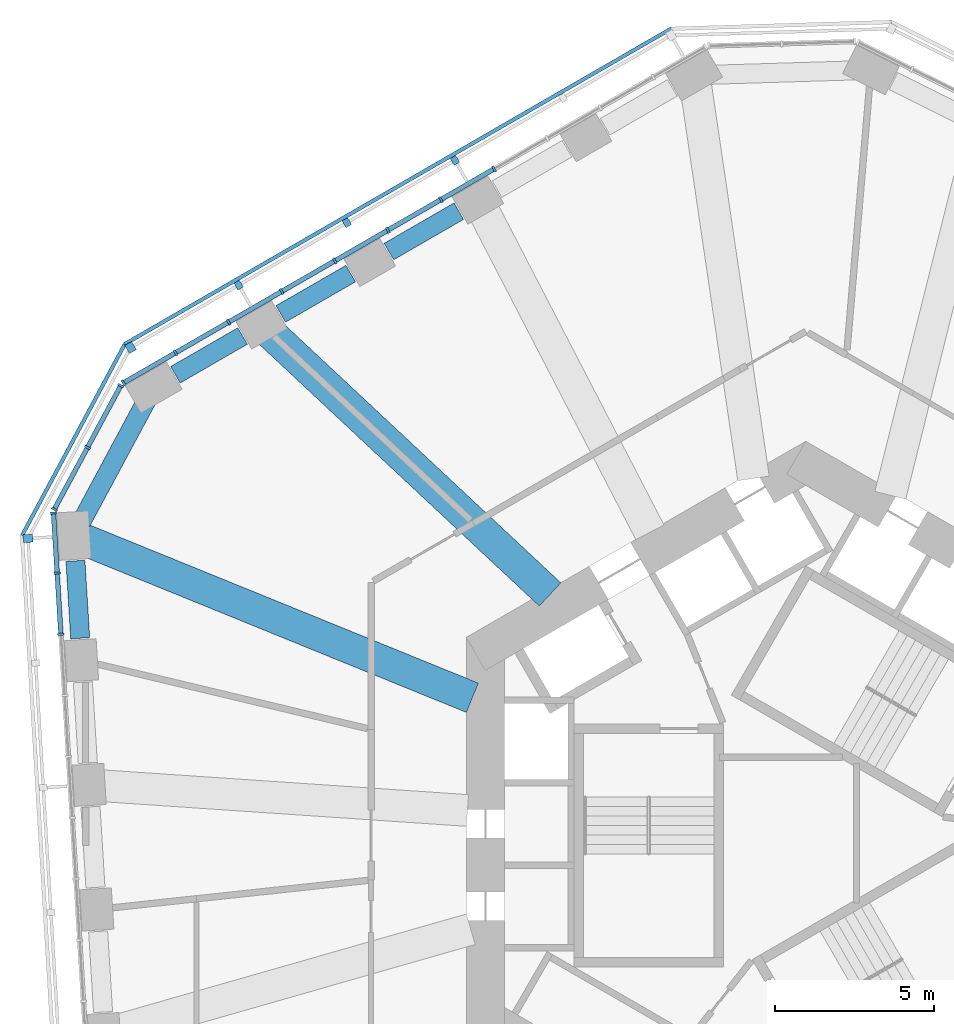
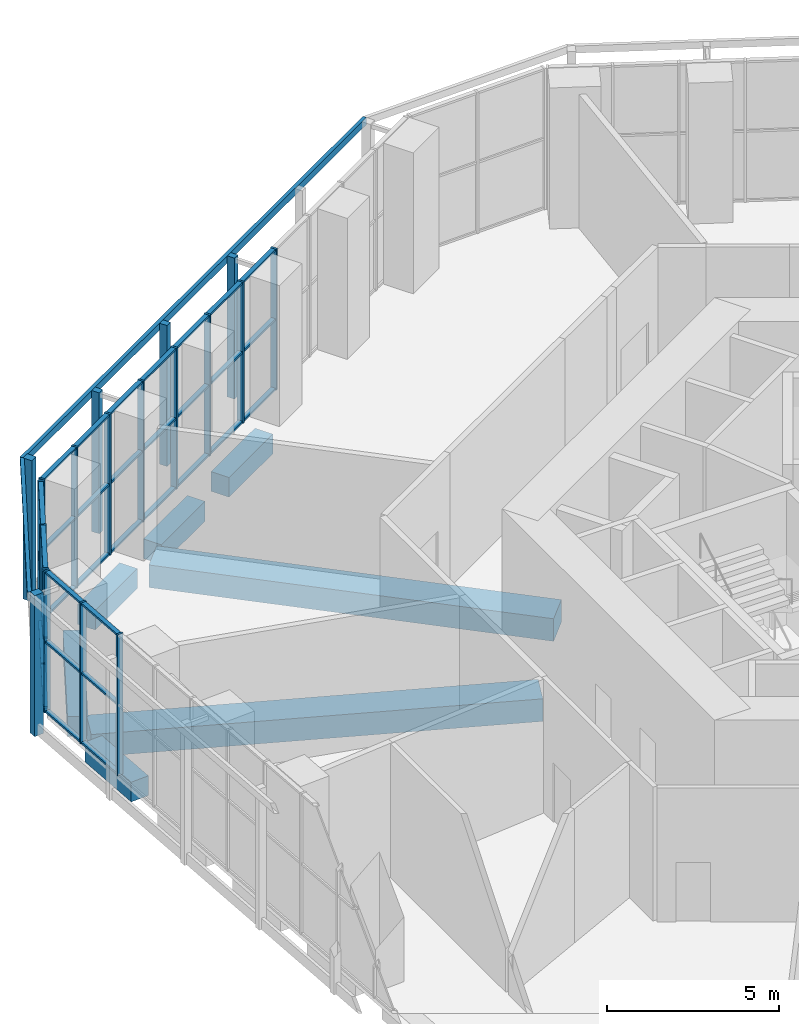
# One storey, part 7 of 19: 54 members, 7 beams, 6 elements without a shape of their own.
"""IFC4 building model written with IfcOpenShell, lengths in metres."""

from ifc_helpers import new_model, si_unit, direction, frame, origin, origin_2d, place, context, subcontext, project, spatial, rectangle, extrude, material, material_profile, profile_set, type_object, element, aggregate, save


model = new_model("IFC4")

# Units and contexts
model_context = context("Model", 3, precision=1e-05, world=origin(), true_north=direction((0.0, 1.0)))
body_context = subcontext(model_context, "Body", "Model", "MODEL_VIEW")
ifc_project = project(units=[si_unit("LENGTHUNIT", "METRE"), si_unit("AREAUNIT", "SQUARE_METRE"), si_unit("VOLUMEUNIT", "CUBIC_METRE"), si_unit("PLANEANGLEUNIT", "RADIAN"), si_unit("MASSUNIT", "GRAM", prefix="KILO")], contexts=[model_context])

# Site, building, storey
site_placement = place(None, origin())
site = spatial("IfcSite", under=ifc_project, at=site_placement, CompositionType="ELEMENT")
building_placement = place(site_placement, origin())
building = spatial("IfcBuilding", under=site, at=building_placement, Name="Vanh Sen Convention Tower", CompositionType="ELEMENT")
storey_placement = place(building_placement, frame((0.0, 0.0, 39.0)))
storey = spatial("IfcBuildingStorey", under=building, at=storey_placement, Name="L06", CompositionType="ELEMENT", Elevation=39.0)

# Curtain wall, members
ifc_material_1 = material(Name="Aluminium structural glazing system", Category="aluminium")
curtain_wall_type_1 = type_object("IfcCurtainWallType", Name="Hotel lobby structural glazing", PredefinedType="NOTDEFINED", material=ifc_material_1)
curtain_wall_1_placement = place(storey_placement, origin())
curtain_wall_1 = element("IfcCurtainWall", 1, at=curtain_wall_1_placement, inside=storey, type_object=curtain_wall_type_1, Name="Hotel lobby glazing NW L06", PredefinedType="NOTDEFINED")
ifc_material_2 = material(Name="Aluminium mullion", Category="aluminium")
ifc_material_profile_1 = material_profile(ifc_material_2, rectangle(XDim=0.199951171875, YDim=0.070068359375, at=origin_2d()), Name="Lobby glazing mullion 70 x 200")
ifc_profile_set_1 = profile_set([ifc_material_profile_1], Name="Aluminium mullion")
member_type_1 = type_object("IfcMemberType", Name="Lobby glazing mullion 70 x 200", PredefinedType="MULLION", material=ifc_profile_set_1)
member_1_placement = place(storey_placement, frame((-9.826904296875, 20.942138671875, 0.0), z_axis=(0.0, 0.0, 1.0), x_axis=(0.500000997302, -0.866024827991, 0.0)))
member_1 = element("IfcMember", 2, at=member_1_placement, type_object=member_type_1, Name="CW2 mullion 5", PredefinedType="MULLION", context=body_context, shape_type="SweptSolid", body=[
    extrude(rectangle(XDim=0.199951171875, YDim=0.070068359375, at=origin_2d()), origin(), (0.0, 0.0, 1.0), 5.0),
])
member_2_placement = place(storey_placement, frame((-11.49951171875, 19.9765625, 0.0), z_axis=(0.0, 0.0, 1.0), x_axis=(0.500000997302, -0.866024827991, 0.0)))
member_2 = element("IfcMember", 3, at=member_2_placement, type_object=member_type_1, Name="CW2 mullion 6", PredefinedType="MULLION", context=body_context, shape_type="SweptSolid", body=[
    extrude(rectangle(XDim=0.199951171875, YDim=0.070068359375, at=origin_2d()), origin(), (0.0, 0.0, 1.0), 5.0),
])
member_3_placement = place(storey_placement, frame((-13.17236328125, 19.0107421875, 0.0), z_axis=(0.0, 0.0, 1.0), x_axis=(0.500000997302, -0.866024827991, 0.0)))
member_3 = element("IfcMember", 4, at=member_3_placement, type_object=member_type_1, Name="CW2 mullion 7", PredefinedType="MULLION", context=body_context, shape_type="SweptSolid", body=[
    extrude(rectangle(XDim=0.199951171875, YDim=0.070068359375, at=origin_2d()), origin(), (0.0, 0.0, 1.0), 5.0),
])
member_4_placement = place(storey_placement, frame((-14.844970703125, 18.045166015625, 0.0), z_axis=(0.0, 0.0, 1.0), x_axis=(0.500000997302, -0.866024827991, 0.0)))
member_4 = element("IfcMember", 5, at=member_4_placement, type_object=member_type_1, Name="CW2 mullion 8", PredefinedType="MULLION", context=body_context, shape_type="SweptSolid", body=[
    extrude(rectangle(XDim=0.199951171875, YDim=0.070068359375, at=origin_2d()), origin(), (0.0, 0.0, 1.0), 5.0),
])
member_5_placement = place(storey_placement, frame((-16.517578125, 17.079345703125, 0.0), z_axis=(0.0, 0.0, 1.0), x_axis=(0.500000997302, -0.866024827991, 0.0)))
member_5 = element("IfcMember", 6, at=member_5_placement, type_object=member_type_1, Name="CW2 mullion 9", PredefinedType="MULLION", context=body_context, shape_type="SweptSolid", body=[
    extrude(rectangle(XDim=0.199951171875, YDim=0.070068359375, at=origin_2d()), origin(), (0.0, 0.0, 1.0), 5.0),
])
member_6_placement = place(storey_placement, frame((-18.1904296875, 16.113525390625, 0.0), z_axis=(0.0, 0.0, 1.0), x_axis=(0.500000997302, -0.866024827991, 0.0)))
member_6 = element("IfcMember", 7, at=member_6_placement, type_object=member_type_1, Name="CW2 mullion 10", PredefinedType="MULLION", context=body_context, shape_type="SweptSolid", body=[
    extrude(rectangle(XDim=0.199951171875, YDim=0.070068359375, at=origin_2d()), origin(), (0.0, 0.0, 1.0), 5.0),
])
member_7_placement = place(storey_placement, frame((-19.863037109375, 15.14794921875, 0.0), z_axis=(0.0, 0.0, 1.0), x_axis=(0.500000997302, -0.866024827991, 0.0)))
member_7 = element("IfcMember", 8, at=member_7_placement, type_object=member_type_1, Name="CW2 mullion 11", PredefinedType="MULLION", context=body_context, shape_type="SweptSolid", body=[
    extrude(rectangle(XDim=0.199951171875, YDim=0.070068359375, at=origin_2d()), origin(), (0.0, 0.0, 1.0), 5.0),
])
member_8_placement = place(storey_placement, frame((-21.50537109375, 14.19970703125, 0.0), z_axis=(0.0, 0.0, 1.0), x_axis=(0.500000997302, -0.866024827991, 0.0)))
member_8 = element("IfcMember", 9, at=member_8_placement, type_object=member_type_1, Name="CW2 mullion 12", PredefinedType="MULLION", context=body_context, shape_type="SweptSolid", body=[
    extrude(rectangle(XDim=0.199951171875, YDim=0.070068359375, at=origin_2d()), origin(), (0.0, 0.0, 1.0), 5.0),
])

curtain_wall_2_placement = place(storey_placement, origin())
curtain_wall_2 = element("IfcCurtainWall", 10, at=curtain_wall_2_placement, inside=storey, type_object=curtain_wall_type_1, Name="Hotel lobby glazing CH3 L06", PredefinedType="NOTDEFINED")
member_9_placement = place(storey_placement, frame((-21.590576171875, 14.112060546875, 0.0), z_axis=(0.0, 0.0, 1.0), x_axis=(0.880884476053, -0.473331321433, 0.0)))
member_9 = element("IfcMember", 11, at=member_9_placement, type_object=member_type_1, Name="CW2 mullion 1", PredefinedType="MULLION", context=body_context, shape_type="SweptSolid", body=[
    extrude(rectangle(XDim=0.199951171875, YDim=0.070068359375, at=origin_2d()), origin(), (0.0, 0.0, 1.0), 5.0),
])
member_10_placement = place(storey_placement, frame((-22.637451171875, 12.16357421875, 0.0), z_axis=(0.0, 0.0, 1.0), x_axis=(0.880884476053, -0.473331321433, 0.0)))
member_10 = element("IfcMember", 12, at=member_10_placement, type_object=member_type_1, Name="CW2 mullion 2", PredefinedType="MULLION", context=body_context, shape_type="SweptSolid", body=[
    extrude(rectangle(XDim=0.199951171875, YDim=0.070068359375, at=origin_2d()), origin(), (0.0, 0.0, 1.0), 5.0),
])
member_11_placement = place(storey_placement, frame((-23.684326171875, 10.215087890625, 0.0), z_axis=(0.0, 0.0, 1.0), x_axis=(0.880884476053, -0.473331321433, 0.0)))
member_11 = element("IfcMember", 13, at=member_11_placement, type_object=member_type_1, Name="CW2 mullion 3", PredefinedType="MULLION", context=body_context, shape_type="SweptSolid", body=[
    extrude(rectangle(XDim=0.199951171875, YDim=0.070068359375, at=origin_2d()), origin(), (0.0, 0.0, 1.0), 5.0),
])

curtain_wall_3_placement = place(storey_placement, origin())
curtain_wall_3 = element("IfcCurtainWall", 14, at=curtain_wall_3_placement, inside=storey, type_object=curtain_wall_type_1, Name="Hotel lobby glazing W L06", PredefinedType="NOTDEFINED")
member_12_placement = place(storey_placement, frame((-23.71044921875, 10.095947265625, 0.0), z_axis=(0.0, 0.0, 1.0), x_axis=(0.99813494532, 0.06104613772, 0.0)))
member_12 = element("IfcMember", 15, at=member_12_placement, type_object=member_type_1, Name="CW2 mullion 1", PredefinedType="MULLION", context=body_context, shape_type="SweptSolid", body=[
    extrude(rectangle(XDim=0.199951171875, YDim=0.070068359375, at=origin_2d()), origin(), (0.0, 0.0, 1.0), 5.0),
])
member_13_placement = place(storey_placement, frame((-23.5947265625, 8.202880859375, 0.0), z_axis=(0.0, 0.0, 1.0), x_axis=(0.99813494532, 0.06104613772, 0.0)))
member_13 = element("IfcMember", 16, at=member_13_placement, type_object=member_type_1, Name="CW2 mullion 2", PredefinedType="MULLION", context=body_context, shape_type="SweptSolid", body=[
    extrude(rectangle(XDim=0.199951171875, YDim=0.070068359375, at=origin_2d()), origin(), (0.0, 0.0, 1.0), 5.0),
])
member_14_placement = place(storey_placement, frame((-23.476806640625, 6.275146484375, 0.0), z_axis=(0.0, 0.0, 1.0), x_axis=(0.99813494532, 0.06104613772, 0.0)))
member_14 = element("IfcMember", 17, at=member_14_placement, type_object=member_type_1, Name="CW2 mullion 3", PredefinedType="MULLION", context=body_context, shape_type="SweptSolid", body=[
    extrude(rectangle(XDim=0.199951171875, YDim=0.070068359375, at=origin_2d()), origin(), (0.0, 0.0, 1.0), 5.0),
])

# Member
ifc_material_3 = material(Name="Aluminium transom", Category="aluminium")
ifc_material_profile_2 = material_profile(ifc_material_3, rectangle(XDim=0.14990234375, YDim=0.070068359375, at=origin_2d()), Name="Lobby glazing transom 150 x 70")
ifc_profile_set_2 = profile_set([ifc_material_profile_2], Name="Aluminium transom")
member_type_2 = type_object("IfcMemberType", Name="Lobby glazing transom 150 x 70", PredefinedType="USERDEFINED", material=ifc_profile_set_2)
member_15_placement = place(storey_placement, frame((-9.857177734375, 20.9248046875, 0.034912109375), z_axis=(-0.865982457891, -0.500074377092, 0.0), x_axis=(0.500074377092, -0.865982457891, 0.0)))
member_15 = element("IfcMember", 18, at=member_15_placement, type_object=member_type_2, Name="CW2 transom 5.1", ObjectType="TRANSOM", PredefinedType="USERDEFINED", context=body_context, shape_type="SweptSolid", body=[
    extrude(rectangle(XDim=0.14990234375, YDim=0.070068359375, at=origin_2d()), origin(), (0.0, 0.0, 1.0), 1.861572265625),
])

member_16_placement = place(storey_placement, frame((-9.857177734375, 20.9248046875, 2.5), z_axis=(-0.865982457891, -0.500074377092, 0.0), x_axis=(0.500074377092, -0.865982457891, 0.0)))
member_16 = element("IfcMember", 19, at=member_16_placement, type_object=member_type_2, Name="CW2 transom 5.2", ObjectType="TRANSOM", PredefinedType="USERDEFINED", context=body_context, shape_type="SweptSolid", body=[
    extrude(rectangle(XDim=0.14990234375, YDim=0.070068359375, at=origin_2d()), origin(), (0.0, 0.0, 1.0), 1.861572265625),
])

member_17_placement = place(storey_placement, frame((-9.857177734375, 20.9248046875, 4.965087890625), z_axis=(-0.865982457891, -0.500074377092, 0.0), x_axis=(0.500074377092, -0.865982457891, 0.0)))
member_17 = element("IfcMember", 20, at=member_17_placement, type_object=member_type_2, Name="CW2 transom 5.3", ObjectType="TRANSOM", PredefinedType="USERDEFINED", context=body_context, shape_type="SweptSolid", body=[
    extrude(rectangle(XDim=0.14990234375, YDim=0.070068359375, at=origin_2d()), origin(), (0.0, 0.0, 1.0), 1.861572265625),
])

member_18_placement = place(storey_placement, frame((-11.530029296875, 19.958984375, 0.034912109375), z_axis=(-0.866039251212, -0.499976014784, 0.0), x_axis=(0.499976014784, -0.866039251212, 0.0)))
member_18 = element("IfcMember", 21, at=member_18_placement, type_object=member_type_2, Name="CW2 transom 6.1", ObjectType="TRANSOM", PredefinedType="USERDEFINED", context=body_context, shape_type="SweptSolid", body=[
    extrude(rectangle(XDim=0.14990234375, YDim=0.070068359375, at=origin_2d()), origin(), (0.0, 0.0, 1.0), 1.861328125),
])

member_19_placement = place(storey_placement, frame((-11.530029296875, 19.958984375, 2.5), z_axis=(-0.866039251212, -0.499976014784, 0.0), x_axis=(0.499976014784, -0.866039251212, 0.0)))
member_19 = element("IfcMember", 22, at=member_19_placement, type_object=member_type_2, Name="CW2 transom 6.2", ObjectType="TRANSOM", PredefinedType="USERDEFINED", context=body_context, shape_type="SweptSolid", body=[
    extrude(rectangle(XDim=0.14990234375, YDim=0.070068359375, at=origin_2d()), origin(), (0.0, 0.0, 1.0), 1.861328125),
])

member_20_placement = place(storey_placement, frame((-11.530029296875, 19.958984375, 4.965087890625), z_axis=(-0.866039251212, -0.499976014784, 0.0), x_axis=(0.499976014784, -0.866039251212, 0.0)))
member_20 = element("IfcMember", 23, at=member_20_placement, type_object=member_type_2, Name="CW2 transom 6.3", ObjectType="TRANSOM", PredefinedType="USERDEFINED", context=body_context, shape_type="SweptSolid", body=[
    extrude(rectangle(XDim=0.14990234375, YDim=0.070068359375, at=origin_2d()), origin(), (0.0, 0.0, 1.0), 1.861328125),
])

member_21_placement = place(storey_placement, frame((-13.20263671875, 18.9931640625, 0.034912109375), z_axis=(-0.866039251212, -0.499976014784, 0.0), x_axis=(0.499976014784, -0.866039251212, 0.0)))
member_21 = element("IfcMember", 24, at=member_21_placement, type_object=member_type_2, Name="CW2 transom 7.1", ObjectType="TRANSOM", PredefinedType="USERDEFINED", context=body_context, shape_type="SweptSolid", body=[
    extrude(rectangle(XDim=0.14990234375, YDim=0.070068359375, at=origin_2d()), origin(), (0.0, 0.0, 1.0), 1.861328125),
])

member_22_placement = place(storey_placement, frame((-13.20263671875, 18.9931640625, 2.5), z_axis=(-0.866039251212, -0.499976014784, 0.0), x_axis=(0.499976014784, -0.866039251212, 0.0)))
member_22 = element("IfcMember", 25, at=member_22_placement, type_object=member_type_2, Name="CW2 transom 7.2", ObjectType="TRANSOM", PredefinedType="USERDEFINED", context=body_context, shape_type="SweptSolid", body=[
    extrude(rectangle(XDim=0.14990234375, YDim=0.070068359375, at=origin_2d()), origin(), (0.0, 0.0, 1.0), 1.861328125),
])

member_23_placement = place(storey_placement, frame((-13.20263671875, 18.9931640625, 4.965087890625), z_axis=(-0.866039251212, -0.499976014784, 0.0), x_axis=(0.499976014784, -0.866039251212, 0.0)))
member_23 = element("IfcMember", 26, at=member_23_placement, type_object=member_type_2, Name="CW2 transom 7.3", ObjectType="TRANSOM", PredefinedType="USERDEFINED", context=body_context, shape_type="SweptSolid", body=[
    extrude(rectangle(XDim=0.14990234375, YDim=0.070068359375, at=origin_2d()), origin(), (0.0, 0.0, 1.0), 1.861328125),
])

member_24_placement = place(storey_placement, frame((-14.875244140625, 18.027587890625, 0.034912109375), z_axis=(-0.866039251212, -0.499976014784, 0.0), x_axis=(0.499976014784, -0.866039251212, 0.0)))
member_24 = element("IfcMember", 27, at=member_24_placement, type_object=member_type_2, Name="CW2 transom 8.1", ObjectType="TRANSOM", PredefinedType="USERDEFINED", context=body_context, shape_type="SweptSolid", body=[
    extrude(rectangle(XDim=0.14990234375, YDim=0.070068359375, at=origin_2d()), origin(), (0.0, 0.0, 1.0), 1.861328125),
])

member_25_placement = place(storey_placement, frame((-14.875244140625, 18.027587890625, 2.5), z_axis=(-0.866039251212, -0.499976014784, 0.0), x_axis=(0.499976014784, -0.866039251212, 0.0)))
member_25 = element("IfcMember", 28, at=member_25_placement, type_object=member_type_2, Name="CW2 transom 8.2", ObjectType="TRANSOM", PredefinedType="USERDEFINED", context=body_context, shape_type="SweptSolid", body=[
    extrude(rectangle(XDim=0.14990234375, YDim=0.070068359375, at=origin_2d()), origin(), (0.0, 0.0, 1.0), 1.861328125),
])

member_26_placement = place(storey_placement, frame((-14.875244140625, 18.027587890625, 4.965087890625), z_axis=(-0.866039251212, -0.499976014784, 0.0), x_axis=(0.499976014784, -0.866039251212, 0.0)))
member_26 = element("IfcMember", 29, at=member_26_placement, type_object=member_type_2, Name="CW2 transom 8.3", ObjectType="TRANSOM", PredefinedType="USERDEFINED", context=body_context, shape_type="SweptSolid", body=[
    extrude(rectangle(XDim=0.14990234375, YDim=0.070068359375, at=origin_2d()), origin(), (0.0, 0.0, 1.0), 1.861328125),
])

member_27_placement = place(storey_placement, frame((-16.548095703125, 17.061767578125, 0.034912109375), z_axis=(-0.866039251212, -0.499976014784, 0.0), x_axis=(0.499976014784, -0.866039251212, 0.0)))
member_27 = element("IfcMember", 30, at=member_27_placement, type_object=member_type_2, Name="CW2 transom 9.1", ObjectType="TRANSOM", PredefinedType="USERDEFINED", context=body_context, shape_type="SweptSolid", body=[
    extrude(rectangle(XDim=0.14990234375, YDim=0.070068359375, at=origin_2d()), origin(), (0.0, 0.0, 1.0), 1.861328125),
])

member_28_placement = place(storey_placement, frame((-16.548095703125, 17.061767578125, 2.5), z_axis=(-0.866039251212, -0.499976014784, 0.0), x_axis=(0.499976014784, -0.866039251212, 0.0)))
member_28 = element("IfcMember", 31, at=member_28_placement, type_object=member_type_2, Name="CW2 transom 9.2", ObjectType="TRANSOM", PredefinedType="USERDEFINED", context=body_context, shape_type="SweptSolid", body=[
    extrude(rectangle(XDim=0.14990234375, YDim=0.070068359375, at=origin_2d()), origin(), (0.0, 0.0, 1.0), 1.861328125),
])

member_29_placement = place(storey_placement, frame((-16.548095703125, 17.061767578125, 4.965087890625), z_axis=(-0.866039251212, -0.499976014784, 0.0), x_axis=(0.499976014784, -0.866039251212, 0.0)))
member_29 = element("IfcMember", 32, at=member_29_placement, type_object=member_type_2, Name="CW2 transom 9.3", ObjectType="TRANSOM", PredefinedType="USERDEFINED", context=body_context, shape_type="SweptSolid", body=[
    extrude(rectangle(XDim=0.14990234375, YDim=0.070068359375, at=origin_2d()), origin(), (0.0, 0.0, 1.0), 1.861328125),
])

member_30_placement = place(storey_placement, frame((-18.220703125, 16.09619140625, 0.034912109375), z_axis=(-0.865982457891, -0.500074377092, 0.0), x_axis=(0.500074377092, -0.865982457891, 0.0)))
member_30 = element("IfcMember", 33, at=member_30_placement, type_object=member_type_2, Name="CW2 transom 10.1", ObjectType="TRANSOM", PredefinedType="USERDEFINED", context=body_context, shape_type="SweptSolid", body=[
    extrude(rectangle(XDim=0.14990234375, YDim=0.070068359375, at=origin_2d()), origin(), (0.0, 0.0, 1.0), 1.861572265625),
])

member_31_placement = place(storey_placement, frame((-18.220703125, 16.09619140625, 2.5), z_axis=(-0.865982457891, -0.500074377092, 0.0), x_axis=(0.500074377092, -0.865982457891, 0.0)))
member_31 = element("IfcMember", 34, at=member_31_placement, type_object=member_type_2, Name="CW2 transom 10.2", ObjectType="TRANSOM", PredefinedType="USERDEFINED", context=body_context, shape_type="SweptSolid", body=[
    extrude(rectangle(XDim=0.14990234375, YDim=0.070068359375, at=origin_2d()), origin(), (0.0, 0.0, 1.0), 1.861572265625),
])

member_32_placement = place(storey_placement, frame((-18.220703125, 16.09619140625, 4.965087890625), z_axis=(-0.865982457891, -0.500074377092, 0.0), x_axis=(0.500074377092, -0.865982457891, 0.0)))
member_32 = element("IfcMember", 35, at=member_32_placement, type_object=member_type_2, Name="CW2 transom 10.3", ObjectType="TRANSOM", PredefinedType="USERDEFINED", context=body_context, shape_type="SweptSolid", body=[
    extrude(rectangle(XDim=0.14990234375, YDim=0.070068359375, at=origin_2d()), origin(), (0.0, 0.0, 1.0), 1.861572265625),
])

member_33_placement = place(storey_placement, frame((-19.893310546875, 15.13037109375, 0.034912109375), z_axis=(-0.866005284363, -0.500034846242, 0.0), x_axis=(0.500034846242, -0.866005284363, 0.0)))
member_33 = element("IfcMember", 36, at=member_33_placement, type_object=member_type_2, Name="CW2 transom 11.1", ObjectType="TRANSOM", PredefinedType="USERDEFINED", context=body_context, shape_type="SweptSolid", body=[
    extrude(rectangle(XDim=0.14990234375, YDim=0.070068359375, at=origin_2d()), origin(), (0.0, 0.0, 1.0), 1.826416015625),
])

member_34_placement = place(storey_placement, frame((-19.893310546875, 15.13037109375, 2.5), z_axis=(-0.866005284363, -0.500034846242, 0.0), x_axis=(0.500034846242, -0.866005284363, 0.0)))
member_34 = element("IfcMember", 37, at=member_34_placement, type_object=member_type_2, Name="CW2 transom 11.2", ObjectType="TRANSOM", PredefinedType="USERDEFINED", context=body_context, shape_type="SweptSolid", body=[
    extrude(rectangle(XDim=0.14990234375, YDim=0.070068359375, at=origin_2d()), origin(), (0.0, 0.0, 1.0), 1.826416015625),
])

member_35_placement = place(storey_placement, frame((-19.893310546875, 15.13037109375, 4.965087890625), z_axis=(-0.866005284363, -0.500034846242, 0.0), x_axis=(0.500034846242, -0.866005284363, 0.0)))
member_35 = element("IfcMember", 38, at=member_35_placement, type_object=member_type_2, Name="CW2 transom 11.3", ObjectType="TRANSOM", PredefinedType="USERDEFINED", context=body_context, shape_type="SweptSolid", body=[
    extrude(rectangle(XDim=0.14990234375, YDim=0.070068359375, at=origin_2d()), origin(), (0.0, 0.0, 1.0), 1.826416015625),
])

aggregate(curtain_wall_1, [member_1, member_2, member_3, member_4, member_5, member_6, member_7, member_8, member_15, member_16, member_17, member_18, member_19, member_20, member_21, member_22, member_23, member_24, member_25, member_26, member_27, member_28, member_29, member_30, member_31, member_32, member_33, member_34, member_35])

member_36_placement = place(storey_placement, frame((-21.60693359375, 14.0810546875, 0.034912109375), z_axis=(-0.473372364608, -0.880862420827, 0.0), x_axis=(0.880862420827, -0.473372364608, 0.0)))
member_36 = element("IfcMember", 39, at=member_36_placement, type_object=member_type_2, Name="CW2 transom 1.1", ObjectType="TRANSOM", PredefinedType="USERDEFINED", context=body_context, shape_type="SweptSolid", body=[
    extrude(rectangle(XDim=0.14990234375, YDim=0.070068359375, at=origin_2d()), origin(), (0.0, 0.0, 1.0), 2.141845703125),
])

member_37_placement = place(storey_placement, frame((-21.60693359375, 14.0810546875, 2.5), z_axis=(-0.473372364608, -0.880862420827, 0.0), x_axis=(0.880862420827, -0.473372364608, 0.0)))
member_37 = element("IfcMember", 40, at=member_37_placement, type_object=member_type_2, Name="CW2 transom 1.2", ObjectType="TRANSOM", PredefinedType="USERDEFINED", context=body_context, shape_type="SweptSolid", body=[
    extrude(rectangle(XDim=0.14990234375, YDim=0.070068359375, at=origin_2d()), origin(), (0.0, 0.0, 1.0), 2.141845703125),
])

member_38_placement = place(storey_placement, frame((-21.60693359375, 14.0810546875, 4.965087890625), z_axis=(-0.473372364608, -0.880862420827, 0.0), x_axis=(0.880862420827, -0.473372364608, 0.0)))
member_38 = element("IfcMember", 41, at=member_38_placement, type_object=member_type_2, Name="CW2 transom 1.3", ObjectType="TRANSOM", PredefinedType="USERDEFINED", context=body_context, shape_type="SweptSolid", body=[
    extrude(rectangle(XDim=0.14990234375, YDim=0.070068359375, at=origin_2d()), origin(), (0.0, 0.0, 1.0), 2.141845703125),
])

member_39_placement = place(storey_placement, frame((-22.654052734375, 12.132568359375, 0.034912109375), z_axis=(-0.473372364608, -0.880862420827, 0.0), x_axis=(0.880862420827, -0.473372364608, 0.0)))
member_39 = element("IfcMember", 42, at=member_39_placement, type_object=member_type_2, Name="CW2 transom 2.1", ObjectType="TRANSOM", PredefinedType="USERDEFINED", context=body_context, shape_type="SweptSolid", body=[
    extrude(rectangle(XDim=0.14990234375, YDim=0.070068359375, at=origin_2d()), origin(), (0.0, 0.0, 1.0), 2.141845703125),
])

member_40_placement = place(storey_placement, frame((-22.654052734375, 12.132568359375, 2.5), z_axis=(-0.473372364608, -0.880862420827, 0.0), x_axis=(0.880862420827, -0.473372364608, 0.0)))
member_40 = element("IfcMember", 43, at=member_40_placement, type_object=member_type_2, Name="CW2 transom 2.2", ObjectType="TRANSOM", PredefinedType="USERDEFINED", context=body_context, shape_type="SweptSolid", body=[
    extrude(rectangle(XDim=0.14990234375, YDim=0.070068359375, at=origin_2d()), origin(), (0.0, 0.0, 1.0), 2.141845703125),
])

member_41_placement = place(storey_placement, frame((-22.654052734375, 12.132568359375, 4.965087890625), z_axis=(-0.473372364608, -0.880862420827, 0.0), x_axis=(0.880862420827, -0.473372364608, 0.0)))
member_41 = element("IfcMember", 44, at=member_41_placement, type_object=member_type_2, Name="CW2 transom 2.3", ObjectType="TRANSOM", PredefinedType="USERDEFINED", context=body_context, shape_type="SweptSolid", body=[
    extrude(rectangle(XDim=0.14990234375, YDim=0.070068359375, at=origin_2d()), origin(), (0.0, 0.0, 1.0), 2.141845703125),
])

aggregate(curtain_wall_2, [member_9, member_10, member_11, member_36, member_37, member_38, member_39, member_40, member_41])

member_42_placement = place(storey_placement, frame((-23.70849609375, 10.06103515625, 0.034912109375), z_axis=(0.061080171197, -0.998132863243, 0.0), x_axis=(0.998132863243, 0.061080171197, 0.0)))
member_42 = element("IfcMember", 45, at=member_42_placement, type_object=member_type_2, Name="CW2 transom 1.1", ObjectType="TRANSOM", PredefinedType="USERDEFINED", context=body_context, shape_type="SweptSolid", body=[
    extrude(rectangle(XDim=0.14990234375, YDim=0.070068359375, at=origin_2d()), origin(), (0.0, 0.0, 1.0), 1.82666015625),
])

member_43_placement = place(storey_placement, frame((-23.70849609375, 10.06103515625, 2.5), z_axis=(0.061080171197, -0.998132863243, 0.0), x_axis=(0.998132863243, 0.061080171197, 0.0)))
member_43 = element("IfcMember", 46, at=member_43_placement, type_object=member_type_2, Name="CW2 transom 1.2", ObjectType="TRANSOM", PredefinedType="USERDEFINED", context=body_context, shape_type="SweptSolid", body=[
    extrude(rectangle(XDim=0.14990234375, YDim=0.070068359375, at=origin_2d()), origin(), (0.0, 0.0, 1.0), 1.82666015625),
])

member_44_placement = place(storey_placement, frame((-23.70849609375, 10.06103515625, 4.965087890625), z_axis=(0.061080171197, -0.998132863243, 0.0), x_axis=(0.998132863243, 0.061080171197, 0.0)))
member_44 = element("IfcMember", 47, at=member_44_placement, type_object=member_type_2, Name="CW2 transom 1.3", ObjectType="TRANSOM", PredefinedType="USERDEFINED", context=body_context, shape_type="SweptSolid", body=[
    extrude(rectangle(XDim=0.14990234375, YDim=0.070068359375, at=origin_2d()), origin(), (0.0, 0.0, 1.0), 1.82666015625),
])

member_45_placement = place(storey_placement, frame((-23.5927734375, 8.16796875, 0.034912109375), z_axis=(0.06112073026, -0.998130380428, 0.0), x_axis=(0.998130380428, 0.06112073026, 0.0)))
member_45 = element("IfcMember", 48, at=member_45_placement, type_object=member_type_2, Name="CW2 transom 2.1", ObjectType="TRANSOM", PredefinedType="USERDEFINED", context=body_context, shape_type="SweptSolid", body=[
    extrude(rectangle(XDim=0.14990234375, YDim=0.070068359375, at=origin_2d()), origin(), (0.0, 0.0, 1.0), 1.861328125),
])

member_46_placement = place(storey_placement, frame((-23.5927734375, 8.16796875, 2.5), z_axis=(0.06112073026, -0.998130380428, 0.0), x_axis=(0.998130380428, 0.06112073026, 0.0)))
member_46 = element("IfcMember", 49, at=member_46_placement, type_object=member_type_2, Name="CW2 transom 2.2", ObjectType="TRANSOM", PredefinedType="USERDEFINED", context=body_context, shape_type="SweptSolid", body=[
    extrude(rectangle(XDim=0.14990234375, YDim=0.070068359375, at=origin_2d()), origin(), (0.0, 0.0, 1.0), 1.861328125),
])

member_47_placement = place(storey_placement, frame((-23.5927734375, 8.16796875, 4.965087890625), z_axis=(0.06112073026, -0.998130380428, 0.0), x_axis=(0.998130380428, 0.06112073026, 0.0)))
member_47 = element("IfcMember", 50, at=member_47_placement, type_object=member_type_2, Name="CW2 transom 2.3", ObjectType="TRANSOM", PredefinedType="USERDEFINED", context=body_context, shape_type="SweptSolid", body=[
    extrude(rectangle(XDim=0.14990234375, YDim=0.070068359375, at=origin_2d()), origin(), (0.0, 0.0, 1.0), 1.861328125),
])

aggregate(curtain_wall_3, [member_12, member_13, member_14, member_42, member_43, member_44, member_45, member_46, member_47])

# Curtain wall, member
ifc_material_4 = material(Name="Concrete C50/60", Category="concrete")
curtain_wall_type_2 = type_object("IfcCurtainWallType", Name="Outer skin hotel zone", PredefinedType="NOTDEFINED", material=ifc_material_4)
curtain_wall_4_placement = place(storey_placement, origin())
curtain_wall_4 = element("IfcCurtainWall", 51, at=curtain_wall_4_placement, inside=storey, type_object=curtain_wall_type_2, Name="OUTER SKIN NW L06", PredefinedType="NOTDEFINED")
ifc_material_profile_3 = material_profile(ifc_material_4, rectangle(XDim=0.25, YDim=0.300048828125, at=origin_2d()), Name="Outer skin precast corner fin 250 x 300")
ifc_profile_set_3 = profile_set([ifc_material_profile_3], Name="Concrete C50/60")
member_type_3 = type_object("IfcMemberType", Name="Outer skin precast corner fin 250 x 300", PredefinedType="MULLION", material=ifc_profile_set_3)
member_48_placement = place(storey_placement, frame((-21.2802734375, 15.31103515625, 0.0), z_axis=(0.0, 0.0, 1.0), x_axis=(-0.866025403784, -0.5, 0.0)))
member_48 = element("IfcMember", 52, at=member_48_placement, type_object=member_type_3, Name="OUTER SKIN CORNER FIN 6 NW L06", PredefinedType="MULLION", context=body_context, shape_type="SweptSolid", body=[
    extrude(rectangle(XDim=0.25, YDim=0.300048828125, at=origin_2d()), origin(), (0.0, 0.0, 1.0), 5.0),
])

curtain_wall_5_placement = place(storey_placement, origin())
curtain_wall_5 = element("IfcCurtainWall", 53, at=curtain_wall_5_placement, inside=storey, type_object=curtain_wall_type_2, Name="OUTER SKIN W L06", PredefinedType="NOTDEFINED")
member_49_placement = place(storey_placement, frame((-24.51318359375, 9.294677734375, 0.0), z_axis=(0.0, 0.0, 1.0), x_axis=(0.061048539535, -0.998134798422, 0.0)))
member_49 = element("IfcMember", 54, at=member_49_placement, type_object=member_type_3, Name="OUTER SKIN CORNER FIN 1 W L06", PredefinedType="MULLION", context=body_context, shape_type="SweptSolid", body=[
    extrude(rectangle(XDim=0.25, YDim=0.300048828125, at=origin_2d()), origin(), (0.0, 0.0, 1.0), 5.0),
])
aggregate(curtain_wall_5, [member_49])

# Member
ifc_material_profile_4 = material_profile(ifc_material_4, rectangle(XDim=0.199951171875, YDim=0.25, at=origin_2d()), Name="Outer skin precast fin 200 x 250")
ifc_profile_set_4 = profile_set([ifc_material_profile_4], Name="Concrete C50/60")
member_type_4 = type_object("IfcMemberType", Name="Outer skin precast fin 200 x 250", PredefinedType="MULLION", material=ifc_profile_set_4)
member_50_placement = place(storey_placement, frame((-11.057861328125, 21.212890625, 0.0), z_axis=(0.0, 0.0, 1.0), x_axis=(-0.866025403784, -0.5, 0.0)))
member_50 = element("IfcMember", 55, at=member_50_placement, type_object=member_type_4, Name="OUTER SKIN fin 3 NW L06", PredefinedType="MULLION", context=body_context, shape_type="SweptSolid", body=[
    extrude(rectangle(XDim=0.199951171875, YDim=0.25, at=origin_2d()), origin(), (0.0, 0.0, 1.0), 5.0),
])

member_51_placement = place(storey_placement, frame((-14.46533203125, 19.24560546875, 0.0), z_axis=(0.0, 0.0, 1.0), x_axis=(-0.866025403784, -0.5, 0.0)))
member_51 = element("IfcMember", 56, at=member_51_placement, type_object=member_type_4, Name="OUTER SKIN fin 4 NW L06", PredefinedType="MULLION", context=body_context, shape_type="SweptSolid", body=[
    extrude(rectangle(XDim=0.199951171875, YDim=0.25, at=origin_2d()), origin(), (0.0, 0.0, 1.0), 5.0),
])

member_52_placement = place(storey_placement, frame((-17.872802734375, 17.2783203125, 0.0), z_axis=(0.0, 0.0, 1.0), x_axis=(-0.866025403784, -0.5, 0.0)))
member_52 = element("IfcMember", 57, at=member_52_placement, type_object=member_type_4, Name="OUTER SKIN fin 5 NW L06", PredefinedType="MULLION", context=body_context, shape_type="SweptSolid", body=[
    extrude(rectangle(XDim=0.199951171875, YDim=0.25, at=origin_2d()), origin(), (0.0, 0.0, 1.0), 5.0),
])

ifc_material_profile_5 = material_profile(ifc_material_4, rectangle(XDim=0.1201171875, YDim=0.25, at=origin_2d()), Name="Outer skin precast spandrel band 250 x 120")
ifc_profile_set_5 = profile_set([ifc_material_profile_5], Name="Concrete C50/60")
member_type_5 = type_object("IfcMemberType", Name="Outer skin precast spandrel band 250 x 120", PredefinedType="USERDEFINED", material=ifc_profile_set_5)
member_53_placement = place(storey_placement, frame((-4.227294921875, 25.370361328125, 4.875), z_axis=(-0.866028047459, -0.499995420993, 0.0), x_axis=(0.499995420993, -0.866028047459, 0.0)))
member_53 = element("IfcMember", 58, at=member_53_placement, type_object=member_type_5, Name="OUTER SKIN spandrel band NW L06", ObjectType="TRANSOM", PredefinedType="USERDEFINED", context=body_context, shape_type="SweptSolid", body=[
    extrude(rectangle(XDim=0.1201171875, YDim=0.25, at=origin_2d()), origin(), (0.0, 0.0, 1.0), 19.923095703125),
])

aggregate(curtain_wall_4, [member_50, member_51, member_52, member_48, member_53])

# Curtain wall, member
curtain_wall_6_placement = place(storey_placement, origin())
curtain_wall_6 = element("IfcCurtainWall", 59, at=curtain_wall_6_placement, inside=storey, type_object=curtain_wall_type_2, Name="OUTER SKIN CH3 L06", PredefinedType="NOTDEFINED")
member_54_placement = place(storey_placement, frame((-21.46533203125, 15.410400390625, 4.875), z_axis=(-0.473315186561, -0.880893145717, 0.0), x_axis=(0.880893145717, -0.473315186561, 0.0)))
member_54 = element("IfcMember", 60, at=member_54_placement, type_object=member_type_5, Name="OUTER SKIN spandrel band CH3 L06", ObjectType="TRANSOM", PredefinedType="USERDEFINED", context=body_context, shape_type="SweptSolid", body=[
    extrude(rectangle(XDim=0.1201171875, YDim=0.25, at=origin_2d()), origin(), (0.0, 0.0, 1.0), 6.829833984375),
])
aggregate(curtain_wall_6, [member_54])

# Beams
ifc_material_5 = material(Name="Concrete C50/60", Category="concrete")
ifc_material_profile_6 = material_profile(ifc_material_5, rectangle(XDim=1.0, YDim=0.800048828125, at=origin_2d()), Name="RC 1000X800")
ifc_profile_set_6 = profile_set([ifc_material_profile_6], Name="Concrete C50/60")
beam_type_1 = type_object("IfcBeamType", Name="Radial floor beam 1000 x 800", PredefinedType="BEAM", material=ifc_profile_set_6)
beam_1_placement = place(storey_placement, frame((-16.880859375, 15.773193359375, -0.699951171875), z_axis=(0.730669888391, -0.682730923717, 0.0), x_axis=(0.682730923717, 0.730669888391, 0.0)))
element("IfcBeam", 61, at=beam_1_placement, inside=storey, type_object=beam_type_1, Name="Radial beam 09 L06", PredefinedType="BEAM", context=body_context, shape_type="SweptSolid", body=[
    extrude(rectangle(XDim=1.0, YDim=0.800048828125, at=origin_2d()), origin(), (0.0, 0.0, 1.0), 12.074951171875),
])
beam_2_placement = place(storey_placement, frame((-22.779052734375, 9.266357421875, -0.699951171875), z_axis=(0.926290168233, -0.376810992719, 0.0), x_axis=(0.376810992719, 0.926290168233, 0.0)))
element("IfcBeam", 62, at=beam_2_placement, inside=storey, type_object=beam_type_1, Name="Radial beam 10 L06", PredefinedType="BEAM", context=body_context, shape_type="SweptSolid", body=[
    extrude(rectangle(XDim=1.0, YDim=0.800048828125, at=origin_2d()), origin(), (0.0, 0.0, 1.0), 13.24853515625),
])
ifc_material_profile_7 = material_profile(ifc_material_5, rectangle(XDim=0.60009765625, YDim=0.699951171875, at=origin_2d()), Name="RC 600X700")
ifc_profile_set_7 = profile_set([ifc_material_profile_7], Name="Concrete C50/60")
beam_type_2 = type_object("IfcBeamType", Name="Spandrel beam 600 x 700", PredefinedType="SPANDREL", material=ifc_profile_set_7)
for number, where, z_axis, x_axis, name in (
    (63, (-10.934814453125, 19.60986328125, -0.64990234375), (-0.865990650555, -0.500060189529, 0.0), (0.500060189529, -0.865990650555, 0.0), "Spandrel beam 15 L06"),
    (64, (-14.34228515625, 17.642578125, -0.64990234375), (-0.865990650555, -0.500060189529, 0.0), (0.500060189529, -0.865990650555, 0.0), "Spandrel beam 16 L06"),
):
    element("IfcBeam", number, at=place(storey_placement, frame(where, z_axis=z_axis, x_axis=x_axis)), inside=storey, type_object=beam_type_2, Name=name, PredefinedType="SPANDREL", context=body_context, shape_type="SweptSolid", body=[
        extrude(rectangle(XDim=0.60009765625, YDim=0.699951171875, at=origin_2d()), origin(), (0.0, 0.0, 1.0), 2.544677734375),
    ])
beam_3_placement = place(storey_placement, frame((-17.749755859375, 15.67529296875, -0.64990234375), z_axis=(-0.865990985969, -0.500059608667, 0.0), x_axis=(0.500059608667, -0.865990985969, 0.0)))
element("IfcBeam", 65, at=beam_3_placement, inside=storey, type_object=beam_type_2, Name="Spandrel beam 17 L06", PredefinedType="SPANDREL", context=body_context, shape_type="SweptSolid", body=[
    extrude(rectangle(XDim=0.60009765625, YDim=0.699951171875, at=origin_2d()), origin(), (0.0, 0.0, 1.0), 2.444580078125),
])
beam_4_placement = place(storey_placement, frame((-20.773193359375, 13.64990234375, -0.64990234375), z_axis=(-0.473309149957, -0.880896389235, 0.0), x_axis=(0.880896389235, -0.473309149957, 0.0)))
element("IfcBeam", 66, at=beam_4_placement, inside=storey, type_object=beam_type_2, Name="Spandrel beam 18 L06", PredefinedType="SPANDREL", context=body_context, shape_type="SweptSolid", body=[
    extrude(rectangle(XDim=0.60009765625, YDim=0.699951171875, at=origin_2d()), origin(), (0.0, 0.0, 1.0), 4.38330078125),
])
beam_5_placement = place(storey_placement, frame((-23.017333984375, 8.589599609375, -0.64990234375), z_axis=(0.061116154507, -0.998130660614, 0.0), x_axis=(0.998130660614, 0.061116154507, 0.0)))
element("IfcBeam", 67, at=beam_5_placement, inside=storey, type_object=beam_type_2, Name="Spandrel beam 19 L06", PredefinedType="SPANDREL", context=body_context, shape_type="SweptSolid", body=[
    extrude(rectangle(XDim=0.60009765625, YDim=0.699951171875, at=origin_2d()), origin(), (0.0, 0.0, 1.0), 2.44482421875),
])

save(model, "model.ifc")
